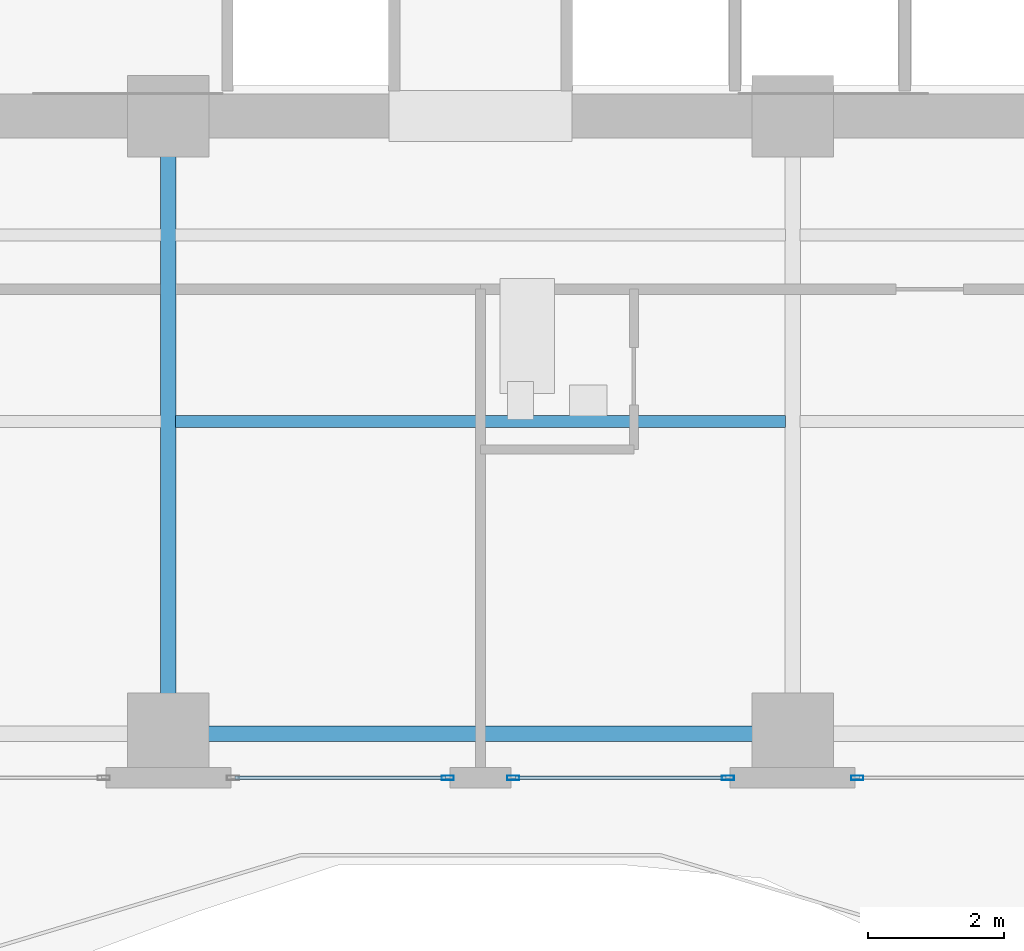
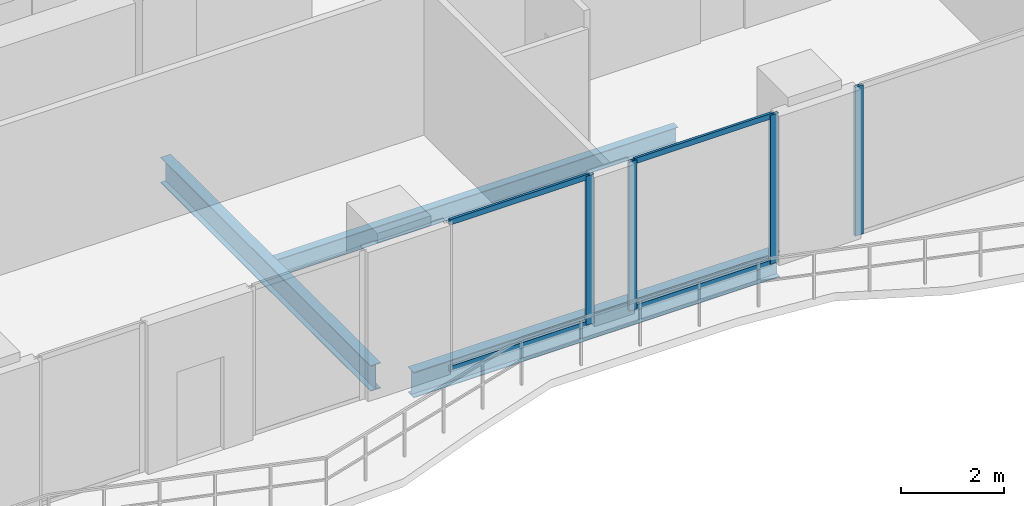
# One storey, part 6 of 33: 8 members, 3 beams, 3 elements without a shape of their own.
"""IFC4 building model written with IfcOpenShell, lengths in metres."""

from ifc_helpers import new_model, si_unit, direction, frame, origin, origin_2d, place, context, subcontext, project, spatial, hollow_rectangle, i_section, extrude, material, layer, layer_set, material_profile, profile_set, type_object, element, aggregate, save


model = new_model("IFC4")

# Units and contexts
model_context = context("Model", 3, precision=1e-05, world=origin(), true_north=direction((0.0, 1.0)))
body_context = subcontext(model_context, "Body", "Model", "MODEL_VIEW")
ifc_project = project(units=[si_unit("LENGTHUNIT", "METRE"), si_unit("AREAUNIT", "SQUARE_METRE"), si_unit("VOLUMEUNIT", "CUBIC_METRE"), si_unit("PLANEANGLEUNIT", "RADIAN"), si_unit("MASSUNIT", "GRAM", prefix="KILO")], contexts=[model_context])

# Site, building, storey
site_placement = place(None, origin())
site = spatial("IfcSite", under=ifc_project, at=site_placement, CompositionType="ELEMENT")
building_placement = place(site_placement, origin())
building = spatial("IfcBuilding", under=site, at=building_placement, Name="Zuhayl Quay Hotel", CompositionType="ELEMENT")
storey_placement = place(building_placement, frame((0.0, 0.0, 214.89990234375)))
storey = spatial("IfcBuildingStorey", under=building, at=storey_placement, Name="L54", CompositionType="ELEMENT", Elevation=214.89990234375)

# Beams
ifc_material_1 = material(Name="Steel ASTM A992 Grade 50", Category="steel")
ifc_material_profile_1 = material_profile(ifc_material_1, i_section(OverallWidth=0.22802734375, OverallDepth=0.60693359375, WebThickness=0.01123046875, FlangeThickness=0.017333984375, at=origin_2d()), Name="W24X76")
ifc_profile_set_1 = profile_set([ifc_material_profile_1], Name="Steel ASTM A992 Grade 50")
beam_type_1 = type_object("IfcBeamType", Name="BM_B3_W24X76", PredefinedType="BEAM", material=ifc_profile_set_1)
beam_1_placement = place(storey_placement, frame((-4.10009765625, -6.949951171875, -0.5234375), z_axis=(1.0, 0.0, 0.0), x_axis=(0.0, 1.0, 0.0)))
element("IfcBeam", 1, at=beam_1_placement, inside=storey, type_object=beam_type_1, Name="L54 Floor Beam RG_L54_02", PredefinedType="BEAM", context=body_context, shape_type="SweptSolid", body=[
    extrude(i_section(OverallWidth=0.22802734375, OverallDepth=0.60693359375, WebThickness=0.01123046875, FlangeThickness=0.017333984375, at=origin_2d()), origin(), (0.0, 0.0, 1.0), 8.2001953125),
])
beam_2_placement = place(storey_placement, frame((-4.60009765625, -6.449951171875, -0.5234375), z_axis=(0.0, 1.0, 0.0), x_axis=(-1.0, 0.0, 0.0)))
element("IfcBeam", 2, at=beam_2_placement, inside=storey, type_object=beam_type_1, Name="L54 Floor Beam FG_S_L54_2", PredefinedType="BEAM", context=body_context, shape_type="SweptSolid", body=[
    extrude(i_section(OverallWidth=0.22802734375, OverallDepth=0.60693359375, WebThickness=0.01123046875, FlangeThickness=0.017333984375, at=origin_2d()), origin(), (0.0, 0.0, 1.0), 8.14990234375),
])
ifc_material_profile_2 = material_profile(ifc_material_1, i_section(OverallWidth=0.177978515625, OverallDepth=0.406005859375, WebThickness=0.0078125, FlangeThickness=0.0126953125, at=origin_2d()), Name="W16X40")
ifc_profile_set_2 = profile_set([ifc_material_profile_2], Name="Steel ASTM A992 Grade 50")
beam_type_2 = type_object("IfcBeamType", Name="BM_J2B_W16X40", PredefinedType="JOIST", material=ifc_profile_set_2)
beam_3_placement = place(storey_placement, frame((-4.493896484375, -2.35009765625, -0.4228515625), z_axis=(1.0, 0.0, 0.0), x_axis=(0.0, 1.0, 0.0)))
element("IfcBeam", 3, at=beam_3_placement, inside=storey, type_object=beam_type_2, Name="L54 Floor Beam FJ_L54_7_2", PredefinedType="JOIST", context=body_context, shape_type="SweptSolid", body=[
    extrude(i_section(OverallWidth=0.177978515625, OverallDepth=0.406005859375, WebThickness=0.0078125, FlangeThickness=0.0126953125, at=origin_2d()), origin(), (0.0, 0.0, 1.0), 8.98779296875),
])

# Curtain wall, member
ifc_material_2 = material(Name="Anodised Aluminium 6063-T6", Category="aluminium")
ifc_layer = layer(ifc_material_2, 0.175048828125, Name="Anodised Aluminium 6063-T6", Category="aluminium")
ifc_layer_set = layer_set([ifc_layer], Name="Anodised Aluminium 6063-T6")
curtain_wall_type = type_object("IfcCurtainWallType", Name="CW_SYS_Z3", PredefinedType="USERDEFINED", material=ifc_layer_set)
curtain_wall_1_placement = place(storey_placement, origin())
curtain_wall_1 = element("IfcCurtainWall", 4, at=curtain_wall_1_placement, inside=storey, type_object=curtain_wall_type, Name="L54 Curtain Wall ENV_L54_S_CW2", ObjectType="UNITISED CURTAIN WALL", PredefinedType="USERDEFINED")
ifc_material_3 = material(Name="Black-anodised aluminium 6063-T6", Category="aluminium")
ifc_material_profile_3 = material_profile(ifc_material_3, hollow_rectangle(XDim=0.06494140625, YDim=0.179931640625, WallThickness=0.00341796875, at=origin_2d()), Name="ALU180X65")
ifc_profile_set_3 = profile_set([ifc_material_profile_3], Name="Black-anodised aluminium 6063-T6")
member_type_1 = type_object("IfcMemberType", Name="MB_CW_MUL_180", PredefinedType="MULLION", material=ifc_profile_set_3)
member_1_placement = place(storey_placement, frame((5.552490234375, -7.60009765625, 0.0), z_axis=(0.0, 0.0, 1.0), x_axis=(0.0, -1.0, 0.0)))
member_1 = element("IfcMember", 5, at=member_1_placement, type_object=member_type_1, Name="CW-Z3 mullion 2", PredefinedType="MULLION", context=body_context, shape_type="SweptSolid", body=[
    extrude(hollow_rectangle(XDim=0.06494140625, YDim=0.179931640625, WallThickness=0.00341796875, at=origin_2d()), origin(), (0.0, 0.0, 1.0), 3.530029296875),
])
aggregate(curtain_wall_1, [member_1])

# Curtain wall, members
curtain_wall_2_placement = place(storey_placement, origin())
curtain_wall_2 = element("IfcCurtainWall", 6, at=curtain_wall_2_placement, inside=storey, type_object=curtain_wall_type, Name="L54 Curtain Wall ENV_L54_S_CW3", ObjectType="UNITISED CURTAIN WALL", PredefinedType="USERDEFINED")
member_2_placement = place(storey_placement, frame((3.6474609375, -7.60009765625, 0.0), z_axis=(0.0, 0.0, 1.0), x_axis=(0.0, -1.0, 0.0)))
member_2 = element("IfcMember", 7, at=member_2_placement, type_object=member_type_1, Name="CW-Z3 mullion 1", PredefinedType="MULLION", context=body_context, shape_type="SweptSolid", body=[
    extrude(hollow_rectangle(XDim=0.06494140625, YDim=0.179931640625, WallThickness=0.00341796875, at=origin_2d()), origin(), (0.0, 0.0, 1.0), 3.530029296875),
])
member_3_placement = place(storey_placement, frame((0.482421875, -7.60009765625, 0.0), z_axis=(0.0, 0.0, 1.0), x_axis=(0.0, -1.0, 0.0)))
member_3 = element("IfcMember", 8, at=member_3_placement, type_object=member_type_1, Name="CW-Z3 mullion 2", PredefinedType="MULLION", context=body_context, shape_type="SweptSolid", body=[
    extrude(hollow_rectangle(XDim=0.06494140625, YDim=0.179931640625, WallThickness=0.00341796875, at=origin_2d()), origin(), (0.0, 0.0, 1.0), 3.530029296875),
])

# Curtain wall, member
curtain_wall_3_placement = place(storey_placement, origin())
curtain_wall_3 = element("IfcCurtainWall", 9, at=curtain_wall_3_placement, inside=storey, type_object=curtain_wall_type, Name="L54 Curtain Wall ENV_L54_S_CW4", ObjectType="UNITISED CURTAIN WALL", PredefinedType="USERDEFINED")
member_4_placement = place(storey_placement, frame((-0.482421875, -7.60009765625, 0.0), z_axis=(0.0, 0.0, 1.0), x_axis=(0.0, -1.0, 0.0)))
member_4 = element("IfcMember", 10, at=member_4_placement, type_object=member_type_1, Name="CW-Z3 mullion 1", PredefinedType="MULLION", context=body_context, shape_type="SweptSolid", body=[
    extrude(hollow_rectangle(XDim=0.06494140625, YDim=0.179931640625, WallThickness=0.00341796875, at=origin_2d()), origin(), (0.0, 0.0, 1.0), 3.530029296875),
])

# Member
ifc_material_profile_4 = material_profile(ifc_material_3, hollow_rectangle(XDim=0.054931640625, YDim=0.1298828125, WallThickness=0.0029296875, at=origin_2d()), Name="ALU130X55")
ifc_profile_set_4 = profile_set([ifc_material_profile_4], Name="Black-anodised aluminium 6063-T6")
member_type_2 = type_object("IfcMemberType", Name="MB_CW_TRN_130", PredefinedType="USERDEFINED", material=ifc_profile_set_4)
member_5_placement = place(storey_placement, frame((3.614990234375, -7.60009765625, 0.027587890625), z_axis=(-1.0, 0.0, 0.0), x_axis=(0.0, -1.0, 0.0)))
member_5 = element("IfcMember", 11, at=member_5_placement, type_object=member_type_2, Name="CW-Z3 transom 1.1", ObjectType="TRANSOM", PredefinedType="USERDEFINED", context=body_context, shape_type="SweptSolid", body=[
    extrude(hollow_rectangle(XDim=0.054931640625, YDim=0.1298828125, WallThickness=0.0029296875, at=origin_2d()), origin(), (0.0, 0.0, 1.0), 3.10009765625),
])

member_6_placement = place(storey_placement, frame((3.614990234375, -7.60009765625, 3.502685546875), z_axis=(-1.0, 0.0, 0.0), x_axis=(0.0, -1.0, 0.0)))
member_6 = element("IfcMember", 12, at=member_6_placement, type_object=member_type_2, Name="CW-Z3 transom 1.2", ObjectType="TRANSOM", PredefinedType="USERDEFINED", context=body_context, shape_type="SweptSolid", body=[
    extrude(hollow_rectangle(XDim=0.054931640625, YDim=0.1298828125, WallThickness=0.0029296875, at=origin_2d()), origin(), (0.0, 0.0, 1.0), 3.10009765625),
])

aggregate(curtain_wall_2, [member_2, member_3, member_5, member_6])

member_7_placement = place(storey_placement, frame((-0.514892578125, -7.60009765625, 0.027587890625), z_axis=(-1.0, 0.0, 0.0), x_axis=(0.0, -1.0, 0.0)))
member_7 = element("IfcMember", 13, at=member_7_placement, type_object=member_type_2, Name="CW-Z3 transom 1.1", ObjectType="TRANSOM", PredefinedType="USERDEFINED", context=body_context, shape_type="SweptSolid", body=[
    extrude(hollow_rectangle(XDim=0.054931640625, YDim=0.1298828125, WallThickness=0.0029296875, at=origin_2d()), origin(), (0.0, 0.0, 1.0), 3.10009765625),
])

member_8_placement = place(storey_placement, frame((-0.514892578125, -7.60009765625, 3.502685546875), z_axis=(-1.0, 0.0, 0.0), x_axis=(0.0, -1.0, 0.0)))
member_8 = element("IfcMember", 14, at=member_8_placement, type_object=member_type_2, Name="CW-Z3 transom 1.2", ObjectType="TRANSOM", PredefinedType="USERDEFINED", context=body_context, shape_type="SweptSolid", body=[
    extrude(hollow_rectangle(XDim=0.054931640625, YDim=0.1298828125, WallThickness=0.0029296875, at=origin_2d()), origin(), (0.0, 0.0, 1.0), 3.10009765625),
])

aggregate(curtain_wall_3, [member_4, member_7, member_8])

save(model, "model.ifc")
